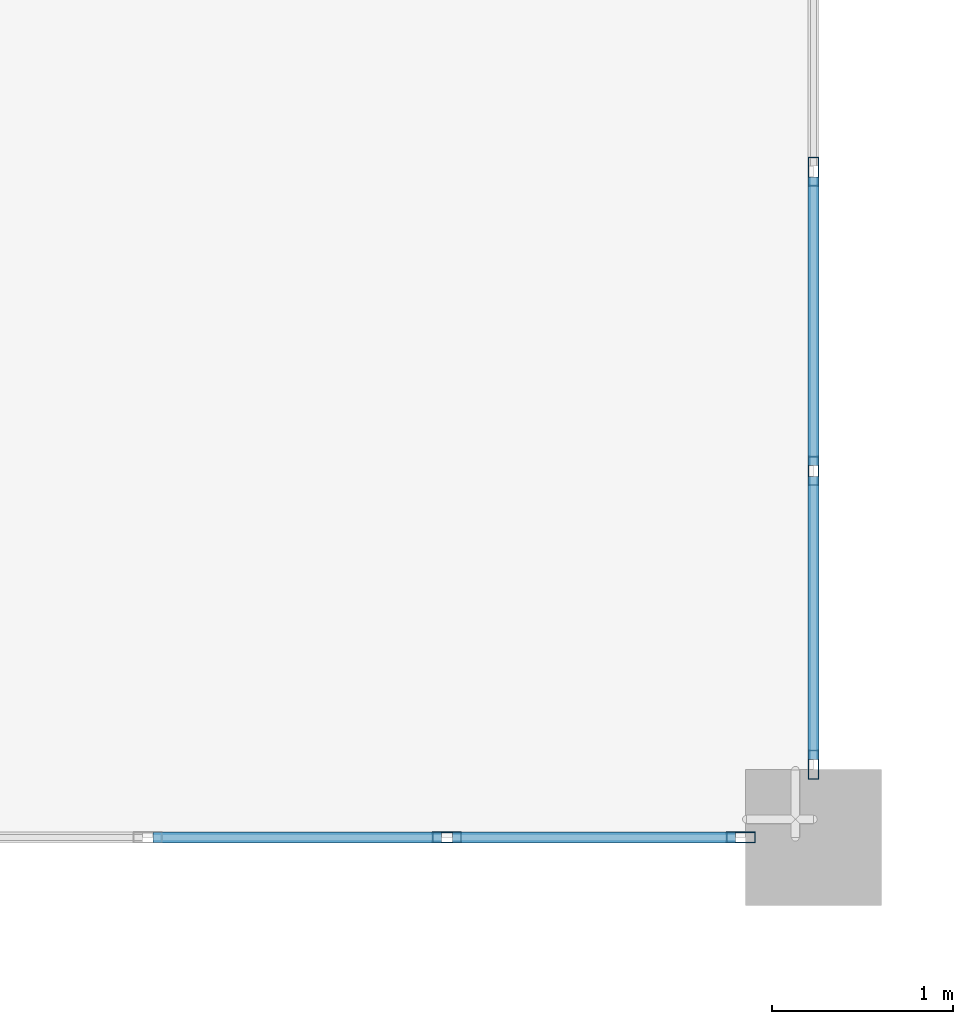
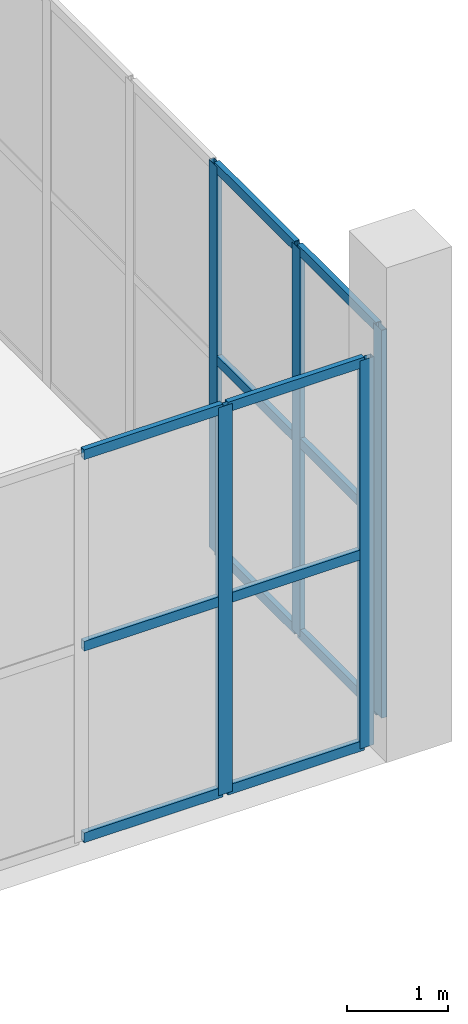
# One storey, part 102 of 223: 17 members, 2 elements without a shape of their own.
"""IFC4 building model written with IfcOpenShell, lengths in metres."""

from ifc_helpers import new_model, si_unit, direction, frame, origin, origin_2d, place, context, subcontext, project, spatial, hollow_rectangle, extrude, material, layer, layer_set, material_profile, profile_set, type_object, element, aggregate, save


model = new_model("IFC4")

# Units and contexts
model_context = context("Model", 3, precision=1e-05, world=origin(), true_north=direction((0.0, 1.0)))
body_context = subcontext(model_context, "Body", "Model", "MODEL_VIEW")
ifc_project = project(units=[si_unit("LENGTHUNIT", "METRE"), si_unit("AREAUNIT", "SQUARE_METRE"), si_unit("VOLUMEUNIT", "CUBIC_METRE"), si_unit("PLANEANGLEUNIT", "RADIAN"), si_unit("MASSUNIT", "GRAM", prefix="KILO")], contexts=[model_context])

# Site, building, storey
site_placement = place(None, origin())
site = spatial("IfcSite", under=ifc_project, at=site_placement, CompositionType="ELEMENT")
building_placement = place(site_placement, origin())
building = spatial("IfcBuilding", under=site, at=building_placement, Name="Dornveld Trade and Exhibition Forum", CompositionType="ELEMENT")
storey_placement = place(building_placement, frame((0.0, 0.0, 6.0)))
storey = spatial("IfcBuildingStorey", under=building, at=storey_placement, Name="L01", CompositionType="ELEMENT", Elevation=6.0)

# Curtain wall, members
ifc_material_1 = material(Name="Dark-bronze anodised aluminium and low-E glass", Category="aluminium")
ifc_layer_1 = layer(ifc_material_1, 0.196044921875)
ifc_layer_set_1 = layer_set([ifc_layer_1], Name="Dark-bronze anodised aluminium and low-E glass")
curtain_wall_type_1 = type_object("IfcCurtainWallType", Name="CW-SYS-18", PredefinedType="USERDEFINED", material=ifc_layer_set_1)
curtain_wall_1_placement = place(storey_placement, origin())
curtain_wall_1 = element("IfcCurtainWall", 1, at=curtain_wall_1_placement, inside=storey, type_object=curtain_wall_type_1, Name="L01 unitised curtain wall 108", ObjectType="UNITISED_CURTAIN_WALL", PredefinedType="USERDEFINED")
ifc_material_2 = material(Name="Dark-bronze anodised aluminium", Category="aluminium")
ifc_material_profile_1 = material_profile(ifc_material_2, hollow_rectangle(XDim=0.06005859375, YDim=0.159912109375, WallThickness=0.00390625, at=origin_2d()), Name="RHS 160x60x4")
ifc_profile_set_1 = profile_set([ifc_material_profile_1], Name="Dark-bronze anodised aluminium")
member_type_1 = type_object("IfcMemberType", Name="CW-MUL-160", PredefinedType="MULLION", material=ifc_profile_set_1)
member_1_placement = place(storey_placement, frame((213.977294921875, 108.0, -0.00390625), z_axis=(0.0, 0.0, 1.0), x_axis=(0.0, 1.0, 0.0)))
member_1 = element("IfcMember", 2, at=member_1_placement, type_object=member_type_1, Name="CW-18 mullion 5", PredefinedType="MULLION", context=body_context, shape_type="SweptSolid", body=[
    extrude(hollow_rectangle(XDim=0.06005859375, YDim=0.159912109375, WallThickness=0.00390625, at=origin_2d()), origin(), (0.0, 0.0, 1.0), 4.703857421875),
])
member_2_placement = place(storey_placement, frame((215.59912109375, 108.0, -0.00390625), z_axis=(0.0, 0.0, 1.0), x_axis=(0.0, 1.0, 0.0)))
member_2 = element("IfcMember", 3, at=member_2_placement, type_object=member_type_1, Name="CW-18 mullion 6", PredefinedType="MULLION", context=body_context, shape_type="SweptSolid", body=[
    extrude(hollow_rectangle(XDim=0.06005859375, YDim=0.159912109375, WallThickness=0.00390625, at=origin_2d()), origin(), (0.0, 0.0, 1.0), 4.703857421875),
])

ifc_material_3 = material(Name="Dark-bronze anodised aluminium and low-E glass", Category="aluminium")
ifc_layer_2 = layer(ifc_material_3, 0.14501953125)
ifc_layer_set_2 = layer_set([ifc_layer_2], Name="Dark-bronze anodised aluminium and low-E glass")
curtain_wall_type_2 = type_object("IfcCurtainWallType", Name="CW-SYS-01", PredefinedType="USERDEFINED", material=ifc_layer_set_2)
curtain_wall_2_placement = place(storey_placement, origin())
curtain_wall_2 = element("IfcCurtainWall", 4, at=curtain_wall_2_placement, inside=storey, type_object=curtain_wall_type_2, Name="L01 unitised curtain wall 109", ObjectType="UNITISED_CURTAIN_WALL", PredefinedType="USERDEFINED")
member_3_placement = place(storey_placement, frame((216.0, 108.40087890625, -0.00390625), z_axis=(0.0, 0.0, 1.0), x_axis=(-1.0, 0.0, 0.0)))
member_3 = element("IfcMember", 5, at=member_3_placement, type_object=member_type_1, Name="CW-01 mullion 1", PredefinedType="MULLION", context=body_context, shape_type="SweptSolid", body=[
    extrude(hollow_rectangle(XDim=0.06005859375, YDim=0.159912109375, WallThickness=0.00390625, at=origin_2d()), origin(), (0.0, 0.0, 1.0), 4.703857421875),
])
member_4_placement = place(storey_placement, frame((216.0, 110.022705078125, -0.00390625), z_axis=(0.0, 0.0, 1.0), x_axis=(-1.0, 0.0, 0.0)))
member_4 = element("IfcMember", 6, at=member_4_placement, type_object=member_type_1, Name="CW-01 mullion 2", PredefinedType="MULLION", context=body_context, shape_type="SweptSolid", body=[
    extrude(hollow_rectangle(XDim=0.06005859375, YDim=0.159912109375, WallThickness=0.00390625, at=origin_2d()), origin(), (0.0, 0.0, 1.0), 4.703857421875),
])
member_5_placement = place(storey_placement, frame((216.0, 111.67431640625, -0.00390625), z_axis=(0.0, 0.0, 1.0), x_axis=(-1.0, 0.0, 0.0)))
member_5 = element("IfcMember", 7, at=member_5_placement, type_object=member_type_1, Name="CW-01 mullion 3", PredefinedType="MULLION", context=body_context, shape_type="SweptSolid", body=[
    extrude(hollow_rectangle(XDim=0.06005859375, YDim=0.159912109375, WallThickness=0.00390625, at=origin_2d()), origin(), (0.0, 0.0, 1.0), 4.703857421875),
])

# Member
ifc_material_4 = material(Name="Dark-bronze anodised aluminium", Category="aluminium")
ifc_material_profile_2 = material_profile(ifc_material_4, hollow_rectangle(XDim=0.06005859375, YDim=0.1201171875, WallThickness=0.00390625, at=origin_2d()), Name="RHS 120x60x4")
ifc_profile_set_2 = profile_set([ifc_material_profile_2], Name="Dark-bronze anodised aluminium")
member_type_2 = type_object("IfcMemberType", Name="CW-TRN-120", PredefinedType="USERDEFINED", material=ifc_profile_set_2)
member_6_placement = place(storey_placement, frame((212.355712890625, 108.0, 0.02587890625), z_axis=(1.0, 0.0, 0.0), x_axis=(0.0, 1.0, 0.0)))
member_6 = element("IfcMember", 8, at=member_6_placement, type_object=member_type_2, Name="CW-18 transom 4.1", ObjectType="TRANSOM", PredefinedType="USERDEFINED", context=body_context, shape_type="SweptSolid", body=[
    extrude(hollow_rectangle(XDim=0.06005859375, YDim=0.1201171875, WallThickness=0.00390625, at=origin_2d()), origin(), (0.0, 0.0, 1.0), 1.591796875),
])

member_7_placement = place(storey_placement, frame((212.355712890625, 108.0, 2.347900390625), z_axis=(1.0, 0.0, 0.0), x_axis=(0.0, 1.0, 0.0)))
member_7 = element("IfcMember", 9, at=member_7_placement, type_object=member_type_2, Name="CW-18 transom 4.2", ObjectType="TRANSOM", PredefinedType="USERDEFINED", context=body_context, shape_type="SweptSolid", body=[
    extrude(hollow_rectangle(XDim=0.06005859375, YDim=0.1201171875, WallThickness=0.00390625, at=origin_2d()), origin(), (0.0, 0.0, 1.0), 1.591796875),
])

member_8_placement = place(storey_placement, frame((212.355712890625, 108.0, 4.669921875), z_axis=(1.0, 0.0, 0.0), x_axis=(0.0, 1.0, 0.0)))
member_8 = element("IfcMember", 10, at=member_8_placement, type_object=member_type_2, Name="CW-18 transom 4.3", ObjectType="TRANSOM", PredefinedType="USERDEFINED", context=body_context, shape_type="SweptSolid", body=[
    extrude(hollow_rectangle(XDim=0.06005859375, YDim=0.1201171875, WallThickness=0.00390625, at=origin_2d()), origin(), (0.0, 0.0, 1.0), 1.591796875),
])

member_9_placement = place(storey_placement, frame((214.00732421875, 108.0, 0.02587890625), z_axis=(1.0, 0.0, 0.0), x_axis=(0.0, 1.0, 0.0)))
member_9 = element("IfcMember", 11, at=member_9_placement, type_object=member_type_2, Name="CW-18 transom 5.1", ObjectType="TRANSOM", PredefinedType="USERDEFINED", context=body_context, shape_type="SweptSolid", body=[
    extrude(hollow_rectangle(XDim=0.06005859375, YDim=0.1201171875, WallThickness=0.00390625, at=origin_2d()), origin(), (0.0, 0.0, 1.0), 1.561767578125),
])

member_10_placement = place(storey_placement, frame((214.00732421875, 108.0, 2.347900390625), z_axis=(1.0, 0.0, 0.0), x_axis=(0.0, 1.0, 0.0)))
member_10 = element("IfcMember", 12, at=member_10_placement, type_object=member_type_2, Name="CW-18 transom 5.2", ObjectType="TRANSOM", PredefinedType="USERDEFINED", context=body_context, shape_type="SweptSolid", body=[
    extrude(hollow_rectangle(XDim=0.06005859375, YDim=0.1201171875, WallThickness=0.00390625, at=origin_2d()), origin(), (0.0, 0.0, 1.0), 1.561767578125),
])

member_11_placement = place(storey_placement, frame((214.00732421875, 108.0, 4.669921875), z_axis=(1.0, 0.0, 0.0), x_axis=(0.0, 1.0, 0.0)))
member_11 = element("IfcMember", 13, at=member_11_placement, type_object=member_type_2, Name="CW-18 transom 5.3", ObjectType="TRANSOM", PredefinedType="USERDEFINED", context=body_context, shape_type="SweptSolid", body=[
    extrude(hollow_rectangle(XDim=0.06005859375, YDim=0.1201171875, WallThickness=0.00390625, at=origin_2d()), origin(), (0.0, 0.0, 1.0), 1.561767578125),
])

aggregate(curtain_wall_1, [member_1, member_2, member_6, member_7, member_8, member_9, member_10, member_11])

member_12_placement = place(storey_placement, frame((216.0, 108.430908203125, 0.02587890625), z_axis=(0.0, 1.0, 0.0), x_axis=(-1.0, 0.0, 0.0)))
member_12 = element("IfcMember", 14, at=member_12_placement, type_object=member_type_2, Name="CW-01 transom 1.1", ObjectType="TRANSOM", PredefinedType="USERDEFINED", context=body_context, shape_type="SweptSolid", body=[
    extrude(hollow_rectangle(XDim=0.06005859375, YDim=0.1201171875, WallThickness=0.00390625, at=origin_2d()), origin(), (0.0, 0.0, 1.0), 1.561767578125),
])

member_13_placement = place(storey_placement, frame((216.0, 108.430908203125, 2.347900390625), z_axis=(0.0, 1.0, 0.0), x_axis=(-1.0, 0.0, 0.0)))
member_13 = element("IfcMember", 15, at=member_13_placement, type_object=member_type_2, Name="CW-01 transom 1.2", ObjectType="TRANSOM", PredefinedType="USERDEFINED", context=body_context, shape_type="SweptSolid", body=[
    extrude(hollow_rectangle(XDim=0.06005859375, YDim=0.1201171875, WallThickness=0.00390625, at=origin_2d()), origin(), (0.0, 0.0, 1.0), 1.561767578125),
])

member_14_placement = place(storey_placement, frame((216.0, 108.430908203125, 4.669921875), z_axis=(0.0, 1.0, 0.0), x_axis=(-1.0, 0.0, 0.0)))
member_14 = element("IfcMember", 16, at=member_14_placement, type_object=member_type_2, Name="CW-01 transom 1.3", ObjectType="TRANSOM", PredefinedType="USERDEFINED", context=body_context, shape_type="SweptSolid", body=[
    extrude(hollow_rectangle(XDim=0.06005859375, YDim=0.1201171875, WallThickness=0.00390625, at=origin_2d()), origin(), (0.0, 0.0, 1.0), 1.561767578125),
])

member_15_placement = place(storey_placement, frame((216.0, 110.052490234375, 0.02587890625), z_axis=(0.0, 1.0, 0.0), x_axis=(-1.0, 0.0, 0.0)))
member_15 = element("IfcMember", 17, at=member_15_placement, type_object=member_type_2, Name="CW-01 transom 2.1", ObjectType="TRANSOM", PredefinedType="USERDEFINED", context=body_context, shape_type="SweptSolid", body=[
    extrude(hollow_rectangle(XDim=0.06005859375, YDim=0.1201171875, WallThickness=0.00390625, at=origin_2d()), origin(), (0.0, 0.0, 1.0), 1.591796875),
])

member_16_placement = place(storey_placement, frame((216.0, 110.052490234375, 2.347900390625), z_axis=(0.0, 1.0, 0.0), x_axis=(-1.0, 0.0, 0.0)))
member_16 = element("IfcMember", 18, at=member_16_placement, type_object=member_type_2, Name="CW-01 transom 2.2", ObjectType="TRANSOM", PredefinedType="USERDEFINED", context=body_context, shape_type="SweptSolid", body=[
    extrude(hollow_rectangle(XDim=0.06005859375, YDim=0.1201171875, WallThickness=0.00390625, at=origin_2d()), origin(), (0.0, 0.0, 1.0), 1.591796875),
])

member_17_placement = place(storey_placement, frame((216.0, 110.052490234375, 4.669921875), z_axis=(0.0, 1.0, 0.0), x_axis=(-1.0, 0.0, 0.0)))
member_17 = element("IfcMember", 19, at=member_17_placement, type_object=member_type_2, Name="CW-01 transom 2.3", ObjectType="TRANSOM", PredefinedType="USERDEFINED", context=body_context, shape_type="SweptSolid", body=[
    extrude(hollow_rectangle(XDim=0.06005859375, YDim=0.1201171875, WallThickness=0.00390625, at=origin_2d()), origin(), (0.0, 0.0, 1.0), 1.591796875),
])

aggregate(curtain_wall_2, [member_3, member_4, member_5, member_12, member_13, member_14, member_15, member_16, member_17])

save(model, "model.ifc")
